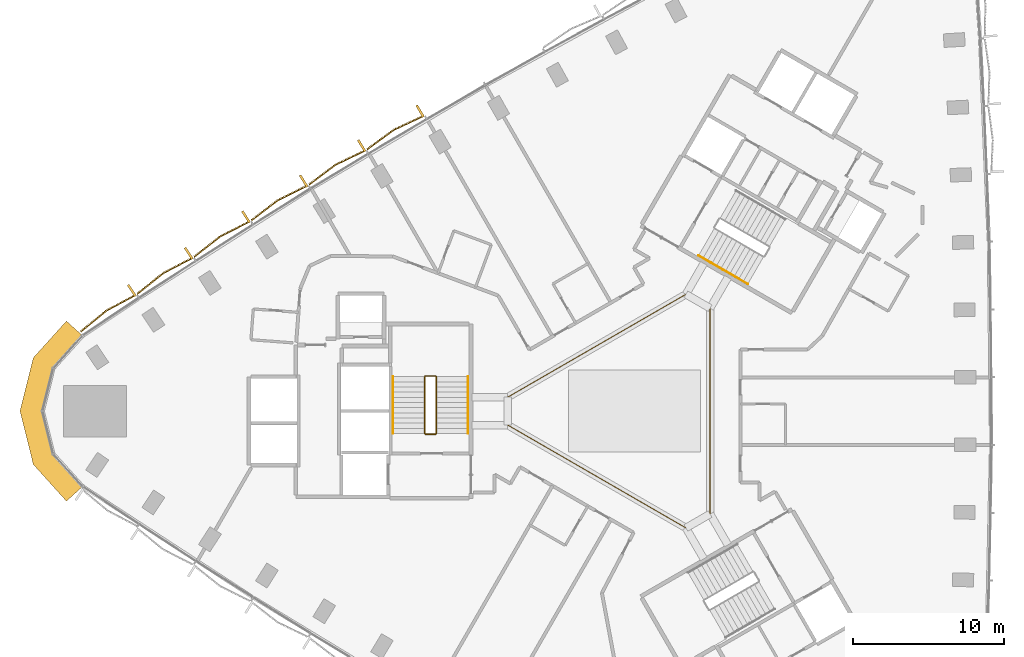
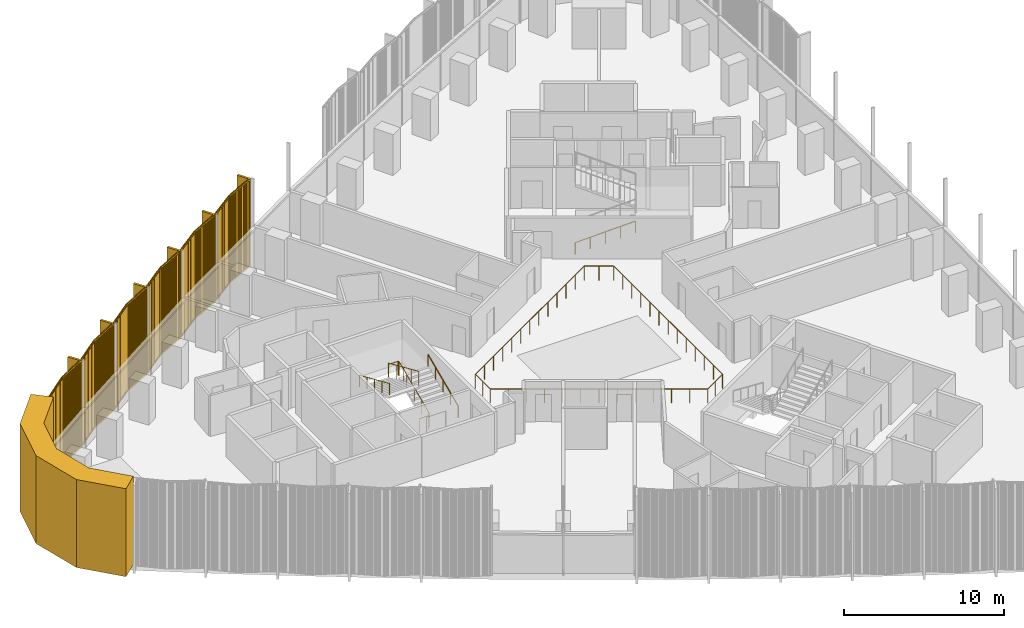
# One storey, part 14 of 15: 7 coverings, 5 railings.
"""IFC4 building model written with IfcOpenShell, lengths in metres."""

from ifc_helpers import new_model, si_unit, direction, frame, frame_2d, origin, origin_2d, place, context, subcontext, project, spatial, polyline, rectangle, circle, outline, extrude, source, transform, mapped, material, layer, layer_set, type_object, element, save


model = new_model("IFC4")

# Units and contexts
model_context = context("Model", 3, precision=1e-05, world=origin(), true_north=direction((0.0, 1.0)))
body_context = subcontext(model_context, "Body", "Model", "MODEL_VIEW")
ifc_project = project(units=[si_unit("LENGTHUNIT", "METRE"), si_unit("AREAUNIT", "SQUARE_METRE"), si_unit("VOLUMEUNIT", "CUBIC_METRE"), si_unit("PLANEANGLEUNIT", "RADIAN"), si_unit("MASSUNIT", "GRAM", prefix="KILO")], contexts=[model_context])

# Site, building, storey
site_placement = place(None, origin())
site = spatial("IfcSite", under=ifc_project, at=site_placement, CompositionType="ELEMENT")
building_placement = place(site_placement, origin())
building = spatial("IfcBuilding", under=site, at=building_placement, Name="Tamra Quay Hotel Tower", CompositionType="ELEMENT")
storey_placement = place(building_placement, frame((0.0, 0.0, 35.0)))
storey = spatial("IfcBuildingStorey", under=building, at=storey_placement, Name="L06", CompositionType="ELEMENT", Elevation=35.0)

# Covering
ifc_material_1 = material(Name="Precast concrete M60 terracotta-coloured", Category="masonry")
ifc_layer = layer(ifc_material_1, 1.449951171875)
ifc_layer_set = layer_set([ifc_layer], Name="CORNER PIER PANEL")
covering_type_1 = type_object("IfcCoveringType", Name="CORNER PIER PANEL", PredefinedType="CLADDING", material=ifc_layer_set)
covering_placement = place(storey_placement, origin())
element("IfcCovering", 1, at=covering_placement, inside=storey, type_object=covering_type_1, Name="Corner pier L06.north-west", PredefinedType="CLADDING", context=body_context, shape_type="SweptSolid", body=[
    extrude(outline(polyline([(-36.547607421875, 4.993896484375), (-37.625244140625, 5.964111328125), (-39.8173828125, 3.529541015625), (-40.697265625, 0.0), (-39.8173828125, -3.529541015625), (-37.625244140625, -5.964111328125), (-36.547607421875, -4.993896484375), (-38.497802734375, -2.827880859375), (-39.202880859375, 0.0), (-38.497802734375, 2.827880859375), (-36.547607421875, 4.993896484375)])), origin(), (0.0, 0.0, 1.0), 6.72509765625),
])

# Railings
ifc_material_2 = material(Name="Guard atrium edge 1100")
railing_type_1 = type_object("IfcRailingType", Name="Guard atrium edge 1100", PredefinedType="GUARDRAIL", material=ifc_material_2)
railing_1_placement = place(storey_placement, frame((5.0, -6.81298828125, 0.0)))
element("IfcRailing", 2, at=railing_1_placement, inside=storey, type_object=railing_type_1, Name="G-A", PredefinedType="GUARDRAIL", context=body_context, shape_type="SweptSolid", body=[
    extrude(circle(Radius=0.02392578125, at=origin_2d()), frame((0.0, 0.0, 1.076171875), z_axis=(-0.866194386982, -0.499707198227, 0.0), x_axis=(0.499707198227, -0.866194386982, 0.0)), (0.0, 0.0, 1.0), 1.84716796875),
    extrude(circle(Radius=0.02392578125, at=origin_2d()), frame((-1.60009765625, -0.923095703125, 1.076171875), z_axis=(-0.866044747976, 0.49996649338, 0.0), x_axis=(-0.49996649338, -0.866044747976, 0.0)), (0.0, 0.0, 1.0), 13.625),
    extrude(circle(Radius=0.02392578125, at=origin_2d()), frame((-13.39990234375, 5.888916015625, 1.076171875), z_axis=(0.0, 1.0, 0.0), x_axis=(-1.0, 0.0, 0.0)), (0.0, 0.0, 1.0), 1.84814453125),
    extrude(circle(Radius=0.02392578125, at=origin_2d()), frame((-13.39990234375, 7.737060546875, 1.076171875), z_axis=(0.866044747976, 0.49996649338, 0.0), x_axis=(-0.49996649338, 0.866044747976, 0.0)), (0.0, 0.0, 1.0), 13.625),
    extrude(circle(Radius=0.02392578125, at=origin_2d()), frame((-1.60009765625, 14.549072265625, 1.076171875), z_axis=(0.866194386982, -0.499707198227, 0.0), x_axis=(0.499707198227, 0.866194386982, 0.0)), (0.0, 0.0, 1.0), 1.84716796875),
    extrude(circle(Radius=0.02392578125, at=origin_2d()), frame((0.0, 13.6259765625, 1.076171875), z_axis=(0.0, -1.0, 0.0), x_axis=(1.0, 0.0, 0.0)), (0.0, 0.0, 1.0), 13.6259765625),
    extrude(circle(Radius=0.02099609375, at=origin_2d()), origin(), (0.0, 0.0, 1.0), 1.052001953125),
    extrude(circle(Radius=0.02099609375, at=origin_2d()), frame((-0.800048828125, -0.46142578125, 0.0)), (0.0, 0.0, 1.0), 1.052001953125),
    extrude(circle(Radius=0.02099609375, at=origin_2d()), frame((-1.60009765625, -0.923095703125, 0.0)), (0.0, 0.0, 1.0), 1.052001953125),
    extrude(circle(Radius=0.02099609375, at=origin_2d()), frame((-2.58349609375, -0.35546875, 0.0)), (0.0, 0.0, 1.0), 1.052001953125),
    extrude(circle(Radius=0.02099609375, at=origin_2d()), frame((-3.566650390625, 0.212158203125, 0.0)), (0.0, 0.0, 1.0), 1.052001953125),
    extrude(circle(Radius=0.02099609375, at=origin_2d()), frame((-4.550048828125, 0.77978515625, 0.0)), (0.0, 0.0, 1.0), 1.052001953125),
    extrude(circle(Radius=0.02099609375, at=origin_2d()), frame((-5.533447265625, 1.34765625, 0.0)), (0.0, 0.0, 1.0), 1.052001953125),
    extrude(circle(Radius=0.02099609375, at=origin_2d()), frame((-6.5166015625, 1.915283203125, 0.0)), (0.0, 0.0, 1.0), 1.052001953125),
    extrude(circle(Radius=0.02099609375, at=origin_2d()), frame((-7.5, 2.48291015625, 0.0)), (0.0, 0.0, 1.0), 1.052001953125),
    extrude(circle(Radius=0.02099609375, at=origin_2d()), frame((-8.4833984375, 3.050537109375, 0.0)), (0.0, 0.0, 1.0), 1.052001953125),
    extrude(circle(Radius=0.02099609375, at=origin_2d()), frame((-9.466552734375, 3.6181640625, 0.0)), (0.0, 0.0, 1.0), 1.052001953125),
    extrude(circle(Radius=0.02099609375, at=origin_2d()), frame((-10.449951171875, 4.18603515625, 0.0)), (0.0, 0.0, 1.0), 1.052001953125),
    extrude(circle(Radius=0.02099609375, at=origin_2d()), frame((-11.433349609375, 4.753662109375, 0.0)), (0.0, 0.0, 1.0), 1.052001953125),
    extrude(circle(Radius=0.02099609375, at=origin_2d()), frame((-12.41650390625, 5.3212890625, 0.0)), (0.0, 0.0, 1.0), 1.052001953125),
    extrude(circle(Radius=0.02099609375, at=origin_2d()), frame((-13.39990234375, 5.888916015625, 0.0)), (0.0, 0.0, 1.0), 1.052001953125),
    extrude(circle(Radius=0.02099609375, at=origin_2d()), frame((-13.39990234375, 6.81298828125, 0.0)), (0.0, 0.0, 1.0), 1.052001953125),
    extrude(circle(Radius=0.02099609375, at=origin_2d()), frame((-13.39990234375, 7.737060546875, 0.0)), (0.0, 0.0, 1.0), 1.052001953125),
    extrude(circle(Radius=0.02099609375, at=origin_2d()), frame((-12.41650390625, 8.3046875, 0.0)), (0.0, 0.0, 1.0), 1.052001953125),
    extrude(circle(Radius=0.02099609375, at=origin_2d()), frame((-11.433349609375, 8.872314453125, 0.0)), (0.0, 0.0, 1.0), 1.052001953125),
    extrude(circle(Radius=0.02099609375, at=origin_2d()), frame((-10.449951171875, 9.43994140625, 0.0)), (0.0, 0.0, 1.0), 1.052001953125),
    extrude(circle(Radius=0.02099609375, at=origin_2d()), frame((-9.466552734375, 10.0078125, 0.0)), (0.0, 0.0, 1.0), 1.052001953125),
    extrude(circle(Radius=0.02099609375, at=origin_2d()), frame((-8.4833984375, 10.575439453125, 0.0)), (0.0, 0.0, 1.0), 1.052001953125),
    extrude(circle(Radius=0.02099609375, at=origin_2d()), frame((-7.5, 11.14306640625, 0.0)), (0.0, 0.0, 1.0), 1.052001953125),
    extrude(circle(Radius=0.02099609375, at=origin_2d()), frame((-6.5166015625, 11.710693359375, 0.0)), (0.0, 0.0, 1.0), 1.052001953125),
    extrude(circle(Radius=0.02099609375, at=origin_2d()), frame((-5.533447265625, 12.2783203125, 0.0)), (0.0, 0.0, 1.0), 1.052001953125),
    extrude(circle(Radius=0.02099609375, at=origin_2d()), frame((-4.550048828125, 12.84619140625, 0.0)), (0.0, 0.0, 1.0), 1.052001953125),
    extrude(circle(Radius=0.02099609375, at=origin_2d()), frame((-3.566650390625, 13.413818359375, 0.0)), (0.0, 0.0, 1.0), 1.052001953125),
    extrude(circle(Radius=0.02099609375, at=origin_2d()), frame((-2.58349609375, 13.9814453125, 0.0)), (0.0, 0.0, 1.0), 1.052001953125),
    extrude(circle(Radius=0.02099609375, at=origin_2d()), frame((-1.60009765625, 14.549072265625, 0.0)), (0.0, 0.0, 1.0), 1.052001953125),
    extrude(circle(Radius=0.02099609375, at=origin_2d()), frame((-0.800048828125, 14.08740234375, 0.0)), (0.0, 0.0, 1.0), 1.052001953125),
    extrude(circle(Radius=0.02099609375, at=origin_2d()), frame((0.0, 13.6259765625, 0.0)), (0.0, 0.0, 1.0), 1.052001953125),
    extrude(circle(Radius=0.02099609375, at=origin_2d()), frame((0.0, 12.490478515625, 0.0)), (0.0, 0.0, 1.0), 1.052001953125),
    extrude(circle(Radius=0.02099609375, at=origin_2d()), frame((0.0, 11.35498046875, 0.0)), (0.0, 0.0, 1.0), 1.052001953125),
    extrude(circle(Radius=0.02099609375, at=origin_2d()), frame((0.0, 10.219482421875, 0.0)), (0.0, 0.0, 1.0), 1.052001953125),
    extrude(circle(Radius=0.02099609375, at=origin_2d()), frame((0.0, 9.083984375, 0.0)), (0.0, 0.0, 1.0), 1.052001953125),
    extrude(circle(Radius=0.02099609375, at=origin_2d()), frame((0.0, 7.948486328125, 0.0)), (0.0, 0.0, 1.0), 1.052001953125),
    extrude(circle(Radius=0.02099609375, at=origin_2d()), frame((0.0, 6.81298828125, 0.0)), (0.0, 0.0, 1.0), 1.052001953125),
    extrude(circle(Radius=0.02099609375, at=origin_2d()), frame((0.0, 5.677490234375, 0.0)), (0.0, 0.0, 1.0), 1.052001953125),
    extrude(circle(Radius=0.02099609375, at=origin_2d()), frame((0.0, 4.5419921875, 0.0)), (0.0, 0.0, 1.0), 1.052001953125),
    extrude(circle(Radius=0.02099609375, at=origin_2d()), frame((0.0, 3.406494140625, 0.0)), (0.0, 0.0, 1.0), 1.052001953125),
    extrude(circle(Radius=0.02099609375, at=origin_2d()), frame((0.0, 2.27099609375, 0.0)), (0.0, 0.0, 1.0), 1.052001953125),
    extrude(circle(Radius=0.02099609375, at=origin_2d()), frame((0.0, 1.135498046875, 0.0)), (0.0, 0.0, 1.0), 1.052001953125),
])
ifc_material_3 = material(Name="Stair guard 1100")
railing_type_2 = type_object("IfcRailingType", Name="Stair guard 1100", PredefinedType="GUARDRAIL", material=ifc_material_3)
railing_2_placement = place(storey_placement, frame((-13.84130859375, -1.530029296875, 0.0)))
element("IfcRailing", 3, at=railing_2_placement, inside=storey, type_object=railing_type_2, Name="GR", PredefinedType="GUARDRAIL", context=body_context, shape_type="SweptSolid", body=[
    extrude(circle(Radius=0.02392578125, at=origin_2d()), frame((0.0, 0.0, 1.076171875), z_axis=(1.0, 0.0, 0.0), x_axis=(0.0, 1.0, 0.0)), (0.0, 0.0, 1.0), 0.658935546875),
    extrude(circle(Radius=0.02392578125, at=origin_2d()), frame((0.658935546875, 0.0, 1.076171875), z_axis=(0.301912943143, 0.301912943143, 0.904266083366), x_axis=(-0.707106781187, 0.707106781187, 0.0)), (0.0, 0.0, 1.0), 0.165771484375),
    extrude(circle(Radius=0.02392578125, at=origin_2d()), frame((0.708984375, 0.050048828125, 1.22607421875), z_axis=(0.0, 0.915773634228, 0.401694723457), x_axis=(-1.0, 0.0, 0.0)), (0.0, 0.0, 1.0), 4.10791015625),
    extrude(circle(Radius=0.02392578125, at=origin_2d()), frame((0.708984375, 3.81201171875, 2.8759765625), z_axis=(-0.708833529934, 0.705375805398, 0.0), x_axis=(-0.705375805398, -0.708833529934, 0.0)), (0.0, 0.0, 1.0), 0.070556640625),
    extrude(circle(Radius=0.02392578125, at=origin_2d()), frame((0.658935546875, 3.86181640625, 2.8759765625), z_axis=(-1.0, 0.0, 0.0), x_axis=(0.0, -1.0, 0.0)), (0.0, 0.0, 1.0), 0.658935546875),
    extrude(circle(Radius=0.02392578125, at=origin_2d()), frame((0.0, 3.86181640625, 2.8759765625), z_axis=(-0.302046947789, -0.300573548044, 0.904667443621), x_axis=(0.705375805398, -0.708833529934, 0.0)), (0.0, 0.0, 1.0), 0.165771484375),
    extrude(circle(Radius=0.02392578125, at=origin_2d()), frame((-0.050048828125, 3.81201171875, 3.02587890625), z_axis=(0.0, -0.915773634228, 0.401694723457), x_axis=(1.0, 0.0, 0.0)), (0.0, 0.0, 1.0), 4.10791015625),
    extrude(circle(Radius=0.02099609375, at=origin_2d()), origin(), (0.0, 0.0, 1.0), 1.052001953125),
    extrude(circle(Radius=0.02099609375, at=origin_2d()), frame((0.658935546875, 0.0, 0.0)), (0.0, 0.0, 1.0), 1.052001953125),
    extrude(circle(Radius=0.02099609375, at=origin_2d()), frame((0.708984375, 0.050048828125, 0.14990234375)), (0.0, 0.0, 1.0), 1.052001953125),
    extrude(circle(Radius=0.02099609375, at=origin_2d()), frame((0.708984375, 0.990478515625, 0.5625)), (0.0, 0.0, 1.0), 1.052001953125),
    extrude(circle(Radius=0.02099609375, at=origin_2d()), frame((0.708984375, 1.93115234375, 0.97509765625)), (0.0, 0.0, 1.0), 1.052001953125),
    extrude(circle(Radius=0.02099609375, at=origin_2d()), frame((0.708984375, 2.87158203125, 1.387451171875)), (0.0, 0.0, 1.0), 1.052001953125),
    extrude(circle(Radius=0.02099609375, at=origin_2d()), frame((0.708984375, 3.81201171875, 1.800048828125)), (0.0, 0.0, 1.0), 1.052001953125),
    extrude(circle(Radius=0.02099609375, at=origin_2d()), frame((0.658935546875, 3.86181640625, 1.800048828125)), (0.0, 0.0, 1.0), 1.052001953125),
    extrude(circle(Radius=0.02099609375, at=origin_2d()), frame((0.0, 3.86181640625, 1.800048828125)), (0.0, 0.0, 1.0), 1.052001953125),
    extrude(circle(Radius=0.02099609375, at=origin_2d()), frame((-0.050048828125, 3.81201171875, 1.949951171875)), (0.0, 0.0, 1.0), 1.052001953125),
    extrude(circle(Radius=0.02099609375, at=origin_2d()), frame((-0.050048828125, 2.87158203125, 2.362548828125)), (0.0, 0.0, 1.0), 1.052001953125),
    extrude(circle(Radius=0.02099609375, at=origin_2d()), frame((-0.050048828125, 1.93115234375, 2.77490234375)), (0.0, 0.0, 1.0), 1.052001953125),
    extrude(circle(Radius=0.02099609375, at=origin_2d()), frame((-0.050048828125, 0.990478515625, 3.1875)), (0.0, 0.0, 1.0), 1.052001953125),
    extrude(circle(Radius=0.02099609375, at=origin_2d()), frame((-0.050048828125, 0.050048828125, 3.60009765625)), (0.0, 0.0, 1.0), 1.052001953125),
])
ifc_material_4 = material(Name="Stair handrail 900")
railing_type_3 = type_object("IfcRailingType", Name="Stair handrail 900", PredefinedType="HANDRAIL", material=ifc_material_4)
railing_3_placement = place(storey_placement, frame((-11.0322265625, -1.47998046875, 0.14990234375)))
element("IfcRailing", 4, at=railing_3_placement, inside=storey, type_object=railing_type_3, Name="HR", PredefinedType="HANDRAIL", context=body_context, shape_type="SweptSolid", body=[
    extrude(circle(Radius=0.02392578125, at=origin_2d()), frame((0.0, 0.0, 0.8759765625), z_axis=(0.0, 0.915773634228, 0.401694723457), x_axis=(-1.0, 0.0, 0.0)), (0.0, 0.0, 1.0), 4.10791015625),
    extrude(circle(Radius=0.02099609375, at=origin_2d()), origin(), (0.0, 0.0, 1.0), 0.851806640625),
    extrude(circle(Radius=0.02099609375, at=origin_2d()), frame((0.0, 0.9404296875, 0.41259765625)), (0.0, 0.0, 1.0), 0.851806640625),
    extrude(circle(Radius=0.02099609375, at=origin_2d()), frame((0.0, 1.880859375, 0.8251953125)), (0.0, 0.0, 1.0), 0.851806640625),
    extrude(circle(Radius=0.02099609375, at=origin_2d()), frame((0.0, 2.821533203125, 1.237548828125)), (0.0, 0.0, 1.0), 0.851806640625),
    extrude(circle(Radius=0.02099609375, at=origin_2d()), frame((0.0, 3.761962890625, 1.650146484375)), (0.0, 0.0, 1.0), 0.851806640625),
])
railing_4_placement = place(storey_placement, frame((-15.9912109375, 2.281982421875, 1.949951171875)))
element("IfcRailing", 5, at=railing_4_placement, inside=storey, type_object=railing_type_3, Name="HR", PredefinedType="HANDRAIL", context=body_context, shape_type="SweptSolid", body=[
    extrude(circle(Radius=0.02392578125, at=origin_2d()), frame((0.0, 0.0, 0.8759765625), z_axis=(0.0, -0.915773634228, 0.401694723457), x_axis=(1.0, 0.0, 0.0)), (0.0, 0.0, 1.0), 4.10791015625),
    extrude(circle(Radius=0.02099609375, at=origin_2d()), origin(), (0.0, 0.0, 1.0), 0.851806640625),
    extrude(circle(Radius=0.02099609375, at=origin_2d()), frame((0.0, -0.9404296875, 0.41259765625)), (0.0, 0.0, 1.0), 0.851806640625),
    extrude(circle(Radius=0.02099609375, at=origin_2d()), frame((0.0, -1.880859375, 0.8251953125)), (0.0, 0.0, 1.0), 0.851806640625),
    extrude(circle(Radius=0.02099609375, at=origin_2d()), frame((0.0, -2.821533203125, 1.237548828125)), (0.0, 0.0, 1.0), 0.851806640625),
    extrude(circle(Radius=0.02099609375, at=origin_2d()), frame((0.0, -3.761962890625, 1.650146484375)), (0.0, 0.0, 1.0), 0.851806640625),
])
railing_5_placement = place(storey_placement, frame((4.234375, 10.294189453125, 0.14990234375)))
element("IfcRailing", 6, at=railing_5_placement, inside=storey, type_object=railing_type_3, Name="HR", PredefinedType="HANDRAIL", context=body_context, shape_type="SweptSolid", body=[
    extrude(circle(Radius=0.02392578125, at=origin_2d()), frame((0.0, 0.0, 0.8759765625), z_axis=(0.793103162556, -0.457854384738, 0.401692339881), x_axis=(0.499964013922, 0.86604617936, 0.0)), (0.0, 0.0, 1.0), 4.10791015625),
    extrude(circle(Radius=0.02099609375, at=origin_2d()), origin(), (0.0, 0.0, 1.0), 0.851806640625),
    extrude(circle(Radius=0.02099609375, at=origin_2d()), frame((0.814453125, -0.47021484375, 0.41259765625)), (0.0, 0.0, 1.0), 0.851806640625),
    extrude(circle(Radius=0.02099609375, at=origin_2d()), frame((1.62890625, -0.9404296875, 0.8251953125)), (0.0, 0.0, 1.0), 0.851806640625),
    extrude(circle(Radius=0.02099609375, at=origin_2d()), frame((2.443603515625, -1.41064453125, 1.237548828125)), (0.0, 0.0, 1.0), 0.851806640625),
    extrude(circle(Radius=0.02099609375, at=origin_2d()), frame((3.258056640625, -1.880859375, 1.650146484375)), (0.0, 0.0, 1.0), 0.851806640625),
])

# Coverings
ifc_material_5 = material(Name="Terracotta baguette extruded", Category="masonry")
covering_type_2 = type_object("IfcCoveringType", Name="BAGUETTE SCREEN NW-V H6725", PredefinedType="USERDEFINED", material=ifc_material_5)
shared_shape = source(origin(), body_context, "Body", "SweptSolid", [
    extrude(rectangle(XDim=2.212646484375, YDim=0.06005859375, at=frame_2d((1.1064453125, 0.030029296875))), frame((-2.208251953125, -0.0576171875, -0.1201171875), z_axis=(0.0, 0.0, 1.0), x_axis=(0.995396198367, -0.09584575252, 0.0)), (0.0, 0.0, 1.0), 0.1201171875),
    extrude(rectangle(XDim=2.212646484375, YDim=0.06005859375, at=frame_2d((1.1064453125, 0.030029296875))), frame((-2.208251953125, -0.0576171875, -6.72509765625), z_axis=(0.0, 0.0, 1.0), x_axis=(0.995396198367, -0.09584575252, 0.0)), (0.0, 0.0, 1.0), 0.1201171875),
    extrude(rectangle(XDim=0.070068359375, YDim=0.10009765625, at=frame_2d((0.03515625, 0.050048828125))), frame((-2.1875, -0.1328125, -6.6650390625)), (0.0, 0.0, 1.0), 6.60498046875),
    extrude(rectangle(XDim=0.070068359375, YDim=0.10009765625, at=frame_2d((0.03515625, 0.050048828125))), frame((-2.08740234375, -0.142578125, -6.6650390625)), (0.0, 0.0, 1.0), 6.60498046875),
    extrude(rectangle(XDim=0.070068359375, YDim=0.10009765625, at=frame_2d((0.03515625, 0.050048828125))), frame((-1.9873046875, -0.152099609375, -6.6650390625)), (0.0, 0.0, 1.0), 6.60498046875),
    extrude(rectangle(XDim=0.070068359375, YDim=0.10009765625, at=frame_2d((0.03515625, 0.050048828125))), frame((-1.88720703125, -0.16162109375, -6.6650390625)), (0.0, 0.0, 1.0), 6.60498046875),
    extrude(rectangle(XDim=0.070068359375, YDim=0.10009765625, at=frame_2d((0.03515625, 0.050048828125))), frame((-1.787109375, -0.17138671875, -6.6650390625)), (0.0, 0.0, 1.0), 6.60498046875),
    extrude(rectangle(XDim=0.070068359375, YDim=0.10009765625, at=frame_2d((0.03515625, 0.050048828125))), frame((-1.686767578125, -0.180908203125, -6.6650390625)), (0.0, 0.0, 1.0), 6.60498046875),
    extrude(rectangle(XDim=0.070068359375, YDim=0.10009765625, at=frame_2d((0.03515625, 0.050048828125))), frame((-1.586669921875, -0.190673828125, -6.6650390625)), (0.0, 0.0, 1.0), 6.60498046875),
    extrude(rectangle(XDim=0.070068359375, YDim=0.10009765625, at=frame_2d((0.03515625, 0.050048828125))), frame((-1.486572265625, -0.2001953125, -6.6650390625)), (0.0, 0.0, 1.0), 6.60498046875),
    extrude(rectangle(XDim=0.070068359375, YDim=0.10009765625, at=frame_2d((0.03515625, 0.050048828125))), frame((-1.386474609375, -0.2099609375, -6.6650390625)), (0.0, 0.0, 1.0), 6.60498046875),
    extrude(rectangle(XDim=0.070068359375, YDim=0.10009765625, at=frame_2d((0.03515625, 0.050048828125))), frame((-1.286376953125, -0.219482421875, -6.6650390625)), (0.0, 0.0, 1.0), 6.60498046875),
    extrude(rectangle(XDim=0.070068359375, YDim=0.10009765625, at=frame_2d((0.03515625, 0.050048828125))), frame((-1.186279296875, -0.229248046875, -6.6650390625)), (0.0, 0.0, 1.0), 6.60498046875),
    extrude(rectangle(XDim=0.070068359375, YDim=0.10009765625, at=frame_2d((0.03515625, 0.050048828125))), frame((-1.086181640625, -0.23876953125, -6.6650390625)), (0.0, 0.0, 1.0), 6.60498046875),
    extrude(rectangle(XDim=0.070068359375, YDim=0.10009765625, at=frame_2d((0.03515625, 0.050048828125))), frame((-0.986083984375, -0.24853515625, -6.6650390625)), (0.0, 0.0, 1.0), 6.60498046875),
    extrude(rectangle(XDim=0.070068359375, YDim=0.10009765625, at=frame_2d((0.03515625, 0.050048828125))), frame((-0.885986328125, -0.258056640625, -6.6650390625)), (0.0, 0.0, 1.0), 6.60498046875),
    extrude(rectangle(XDim=0.070068359375, YDim=0.10009765625, at=frame_2d((0.03515625, 0.050048828125))), frame((-0.785888671875, -0.267822265625, -6.6650390625)), (0.0, 0.0, 1.0), 6.60498046875),
    extrude(rectangle(XDim=0.070068359375, YDim=0.10009765625, at=frame_2d((0.03515625, 0.050048828125))), frame((-0.685791015625, -0.27734375, -6.6650390625)), (0.0, 0.0, 1.0), 6.60498046875),
    extrude(rectangle(XDim=0.070068359375, YDim=0.10009765625, at=frame_2d((0.03515625, 0.050048828125))), frame((-0.585693359375, -0.287109375, -6.6650390625)), (0.0, 0.0, 1.0), 6.60498046875),
    extrude(rectangle(XDim=0.070068359375, YDim=0.10009765625, at=frame_2d((0.03515625, 0.050048828125))), frame((-0.485595703125, -0.296630859375, -6.6650390625)), (0.0, 0.0, 1.0), 6.60498046875),
    extrude(rectangle(XDim=0.070068359375, YDim=0.10009765625, at=frame_2d((0.03515625, 0.050048828125))), frame((-0.385498046875, -0.306396484375, -6.6650390625)), (0.0, 0.0, 1.0), 6.60498046875),
    extrude(rectangle(XDim=0.070068359375, YDim=0.10009765625, at=frame_2d((0.03515625, 0.050048828125))), frame((-0.285400390625, -0.31591796875, -6.6650390625)), (0.0, 0.0, 1.0), 6.60498046875),
    extrude(rectangle(XDim=0.070068359375, YDim=0.10009765625, at=frame_2d((0.03515625, 0.050048828125))), frame((-0.18505859375, -0.32568359375, -6.6650390625)), (0.0, 0.0, 1.0), 6.60498046875),
    extrude(rectangle(XDim=0.070068359375, YDim=0.10009765625, at=frame_2d((0.03515625, 0.050048828125))), frame((-0.0849609375, -0.335205078125, -6.6650390625)), (0.0, 0.0, 1.0), 6.60498046875),
    extrude(rectangle(XDim=2.212646484375, YDim=0.06005859375, at=frame_2d((1.1064453125, 0.030029296875))), frame((0.005859375, -0.269775390625, -0.1201171875), z_axis=(0.0, 0.0, 1.0), x_axis=(0.995396198367, 0.09584575252, 0.0)), (0.0, 0.0, 1.0), 0.1201171875),
    extrude(rectangle(XDim=2.212646484375, YDim=0.06005859375, at=frame_2d((1.1064453125, 0.030029296875))), frame((0.005859375, -0.269775390625, -6.72509765625), z_axis=(0.0, 0.0, 1.0), x_axis=(0.995396198367, 0.09584575252, 0.0)), (0.0, 0.0, 1.0), 0.1201171875),
    extrude(rectangle(XDim=0.070068359375, YDim=0.10009765625, at=frame_2d((0.03515625, 0.050048828125))), frame((0.01513671875, -0.335205078125, -6.6650390625)), (0.0, 0.0, 1.0), 6.60498046875),
    extrude(rectangle(XDim=0.070068359375, YDim=0.10009765625, at=frame_2d((0.03515625, 0.050048828125))), frame((0.115234375, -0.32568359375, -6.6650390625)), (0.0, 0.0, 1.0), 6.60498046875),
    extrude(rectangle(XDim=0.070068359375, YDim=0.10009765625, at=frame_2d((0.03515625, 0.050048828125))), frame((0.21533203125, -0.31591796875, -6.6650390625)), (0.0, 0.0, 1.0), 6.60498046875),
    extrude(rectangle(XDim=0.070068359375, YDim=0.10009765625, at=frame_2d((0.03515625, 0.050048828125))), frame((0.3154296875, -0.306396484375, -6.6650390625)), (0.0, 0.0, 1.0), 6.60498046875),
    extrude(rectangle(XDim=0.070068359375, YDim=0.10009765625, at=frame_2d((0.03515625, 0.050048828125))), frame((0.41552734375, -0.296630859375, -6.6650390625)), (0.0, 0.0, 1.0), 6.60498046875),
    extrude(rectangle(XDim=0.070068359375, YDim=0.10009765625, at=frame_2d((0.03515625, 0.050048828125))), frame((0.515625, -0.287109375, -6.6650390625)), (0.0, 0.0, 1.0), 6.60498046875),
    extrude(rectangle(XDim=0.070068359375, YDim=0.10009765625, at=frame_2d((0.03515625, 0.050048828125))), frame((0.61572265625, -0.27734375, -6.6650390625)), (0.0, 0.0, 1.0), 6.60498046875),
    extrude(rectangle(XDim=0.070068359375, YDim=0.10009765625, at=frame_2d((0.03515625, 0.050048828125))), frame((0.7158203125, -0.267822265625, -6.6650390625)), (0.0, 0.0, 1.0), 6.60498046875),
    extrude(rectangle(XDim=0.070068359375, YDim=0.10009765625, at=frame_2d((0.03515625, 0.050048828125))), frame((0.81591796875, -0.258056640625, -6.6650390625)), (0.0, 0.0, 1.0), 6.60498046875),
    extrude(rectangle(XDim=0.070068359375, YDim=0.10009765625, at=frame_2d((0.03515625, 0.050048828125))), frame((0.916015625, -0.24853515625, -6.6650390625)), (0.0, 0.0, 1.0), 6.60498046875),
    extrude(rectangle(XDim=0.070068359375, YDim=0.10009765625, at=frame_2d((0.03515625, 0.050048828125))), frame((1.01611328125, -0.23876953125, -6.6650390625)), (0.0, 0.0, 1.0), 6.60498046875),
    extrude(rectangle(XDim=0.070068359375, YDim=0.10009765625, at=frame_2d((0.03515625, 0.050048828125))), frame((1.1162109375, -0.229248046875, -6.6650390625)), (0.0, 0.0, 1.0), 6.60498046875),
    extrude(rectangle(XDim=0.070068359375, YDim=0.10009765625, at=frame_2d((0.03515625, 0.050048828125))), frame((1.21630859375, -0.219482421875, -6.6650390625)), (0.0, 0.0, 1.0), 6.60498046875),
    extrude(rectangle(XDim=0.070068359375, YDim=0.10009765625, at=frame_2d((0.03515625, 0.050048828125))), frame((1.316650390625, -0.2099609375, -6.6650390625)), (0.0, 0.0, 1.0), 6.60498046875),
    extrude(rectangle(XDim=0.070068359375, YDim=0.10009765625, at=frame_2d((0.03515625, 0.050048828125))), frame((1.416748046875, -0.2001953125, -6.6650390625)), (0.0, 0.0, 1.0), 6.60498046875),
    extrude(rectangle(XDim=0.070068359375, YDim=0.10009765625, at=frame_2d((0.03515625, 0.050048828125))), frame((1.516845703125, -0.190673828125, -6.6650390625)), (0.0, 0.0, 1.0), 6.60498046875),
    extrude(rectangle(XDim=0.070068359375, YDim=0.10009765625, at=frame_2d((0.03515625, 0.050048828125))), frame((1.616943359375, -0.180908203125, -6.6650390625)), (0.0, 0.0, 1.0), 6.60498046875),
    extrude(rectangle(XDim=0.070068359375, YDim=0.10009765625, at=frame_2d((0.03515625, 0.050048828125))), frame((1.717041015625, -0.17138671875, -6.6650390625)), (0.0, 0.0, 1.0), 6.60498046875),
    extrude(rectangle(XDim=0.070068359375, YDim=0.10009765625, at=frame_2d((0.03515625, 0.050048828125))), frame((1.817138671875, -0.16162109375, -6.6650390625)), (0.0, 0.0, 1.0), 6.60498046875),
    extrude(rectangle(XDim=0.070068359375, YDim=0.10009765625, at=frame_2d((0.03515625, 0.050048828125))), frame((1.917236328125, -0.152099609375, -6.6650390625)), (0.0, 0.0, 1.0), 6.60498046875),
    extrude(rectangle(XDim=0.070068359375, YDim=0.10009765625, at=frame_2d((0.03515625, 0.050048828125))), frame((2.017333984375, -0.142578125, -6.6650390625)), (0.0, 0.0, 1.0), 6.60498046875),
    extrude(rectangle(XDim=0.070068359375, YDim=0.10009765625, at=frame_2d((0.03515625, 0.050048828125))), frame((2.117431640625, -0.1328125, -6.6650390625)), (0.0, 0.0, 1.0), 6.60498046875),
    extrude(rectangle(XDim=0.14990234375, YDim=0.902099609375, at=frame_2d((0.074951171875, 0.451171875))), frame((-2.202392578125, -0.89990234375, -6.72509765625)), (0.0, 0.0, 1.0), 6.72509765625),
])
for number, where, z_axis, x_axis, name in (
    (7, (-15.805419921875, 18.3935546875, 6.72509765625), (0.0, 0.0, 1.0), (-0.860556378011, -0.509355200489, 0.0), "Baguette screen L06.NW.f07"),
    (8, (-19.658447265625, 16.084716796875, 6.72509765625), (0.0, 0.0, 1.0), (-0.854993446708, -0.518638801177, 0.0), "Baguette screen L06.NW.f08"),
    (9, (-23.486083984375, 13.734375, 6.72509765625), (0.0, 0.0, 1.0), (-0.849331290722, -0.527860169552, 0.0), "Baguette screen L06.NW.f09"),
    (10, (-27.287841796875, 11.343017578125, 6.72509765625), (0.0, 0.0, 1.0), (-0.843570774484, -0.537018015002, 0.0), "Baguette screen L06.NW.f10"),
    (11, (-31.063720703125, 8.91064453125, 6.72509765625), (0.0, 0.0, 1.0), (-0.837727820256, -0.546087995811, 0.0), "Baguette screen L06.NW.f11"),
    (12, (-34.81298828125, 6.437744140625, 6.72509765625), (0.0, 0.0, 1.0), (-0.831797916254, -0.555078576884, 0.0), "Baguette screen L06.NW.f12"),
):
    element("IfcCovering", number, at=place(storey_placement, frame(where, z_axis=z_axis, x_axis=x_axis)), inside=storey, type_object=covering_type_2, Name=name, ObjectType="BAGUETTE SCREEN", PredefinedType="USERDEFINED", context=body_context, shape_type="MappedRepresentation", body=[
        mapped(shared_shape, transform((0.0, 0.0, 0.0), scale=1.0)),
    ])

save(model, "model.ifc")
